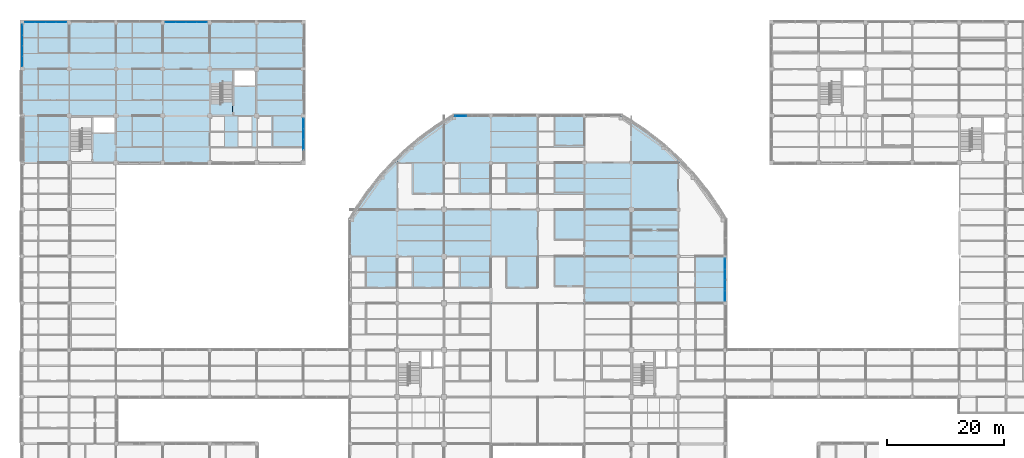
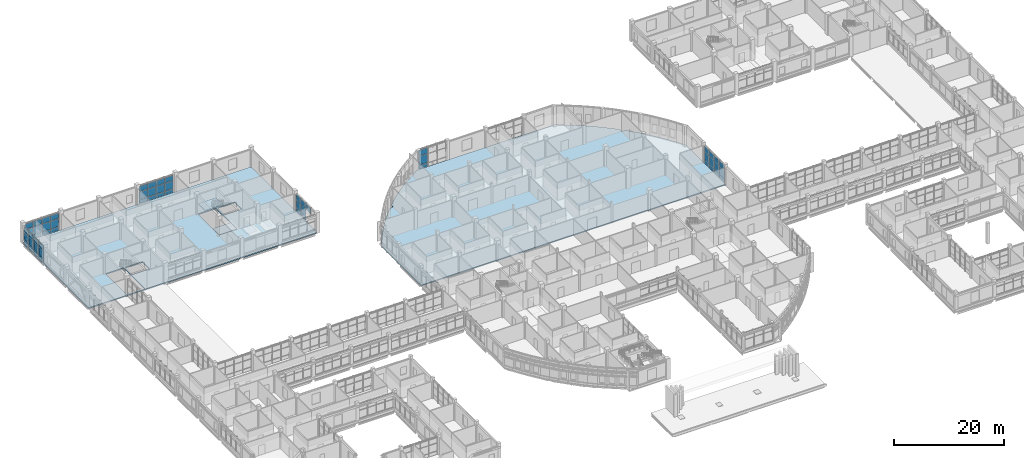
# One storey, part 67 of 121: 58 plates, 4 slabs, 7 elements without a shape of their own.
"""IFC4 building model written with IfcOpenShell, lengths in metres."""

from ifc_helpers import new_model, si_unit, derived_unit, direction, frame, origin, origin_2d, place, context, subcontext, project, spatial, polyline, rectangle, outline, extrude, material, layer, layer_set, type_object, element, aggregate, save


model = new_model("IFC4")

# Units and contexts
model_context = context("Model", 3, precision=1e-05, world=origin(), true_north=direction((0.0, 1.0)))
body_context = subcontext(model_context, "Body", "Model", "MODEL_VIEW")
ifc_project = project(units=[si_unit("LENGTHUNIT", "METRE"), si_unit("AREAUNIT", "SQUARE_METRE"), si_unit("VOLUMEUNIT", "CUBIC_METRE"), si_unit("PLANEANGLEUNIT", "RADIAN"), si_unit("MASSUNIT", "GRAM", prefix="KILO"), derived_unit("THERMALTRANSMITTANCEUNIT", [(si_unit("MASSUNIT", "GRAM", prefix="KILO"), 1), (si_unit("TIMEUNIT", "SECOND"), -3), (si_unit("THERMODYNAMICTEMPERATUREUNIT", "KELVIN"), -1)])], contexts=[model_context])

# Site, building, storey
site_placement = place(None, origin())
site = spatial("IfcSite", under=ifc_project, at=site_placement, CompositionType="ELEMENT")
building_placement = place(site_placement, origin())
building = spatial("IfcBuilding", under=site, at=building_placement, Name="Veyamyaing Civic Hall", CompositionType="ELEMENT")
storey_placement = place(building_placement, frame((0.0, 0.0, 5.280029296875)))
storey = spatial("IfcBuildingStorey", under=building, at=storey_placement, Name="L01", CompositionType="ELEMENT", Elevation=5.280029296875)

# Curtain wall, plates
ifc_material_1 = material(Name="Anodised aluminium 6063-T6", Category="aluminium")
ifc_layer_1 = layer(ifc_material_1, 0.159912109375, Name="Anodised aluminium 6063-T6")
ifc_layer_set_1 = layer_set([ifc_layer_1], Name="Anodised aluminium 6063-T6")
curtain_wall_type = type_object("IfcCurtainWallType", Name="CW-02", PredefinedType="NOTDEFINED", material=ifc_layer_set_1)
curtain_wall_1_placement = place(storey_placement, origin())
curtain_wall_1 = element("IfcCurtainWall", 1, at=curtain_wall_1_placement, inside=storey, type_object=curtain_wall_type, Name="Unitized curtain wall CW-02 L01 N 4.14", PredefinedType="NOTDEFINED")
ifc_material_2 = material(Name="Low-E insulated glass", Category="glass")
ifc_layer_2 = layer(ifc_material_2, 0.028076171875, Name="Low-E insulated glass")
ifc_layer_set_2 = layer_set([ifc_layer_2], Name="Low-E insulated glass")
plate_type_1 = type_object("IfcPlateType", Name="CWP-01", PredefinedType="CURTAIN_PANEL", material=ifc_layer_set_2)
plate_1_placement = place(storey_placement, frame((25.320068359375, 112.0, 0.06494140625), z_axis=(0.0, 0.0, 1.0), x_axis=(1.0, 0.0, 0.0)))
plate_1 = element("IfcPlate", 2, at=plate_1_placement, type_object=plate_type_1, Name="CW-02 panel 1.1", PredefinedType="CURTAIN_PANEL", context=body_context, shape_type="SweptSolid", body=[
    extrude(rectangle(XDim=1.699951171875, YDim=0.028076171875, at=origin_2d()), origin(), (0.0, 0.0, 1.0), 0.802490234375),
])
plate_2_placement = place(storey_placement, frame((25.320068359375, 112.0, 0.9326171875), z_axis=(0.0, 0.0, 1.0), x_axis=(1.0, 0.0, 0.0)))
plate_2 = element("IfcPlate", 3, at=plate_2_placement, type_object=plate_type_1, Name="CW-02 panel 1.2", PredefinedType="CURTAIN_PANEL", context=body_context, shape_type="SweptSolid", body=[
    extrude(rectangle(XDim=1.699951171875, YDim=0.028076171875, at=origin_2d()), origin(), (0.0, 0.0, 1.0), 1.72705078125),
])
plate_3_placement = place(storey_placement, frame((25.320068359375, 112.0, 2.724609375), z_axis=(0.0, 0.0, 1.0), x_axis=(1.0, 0.0, 0.0)))
plate_3 = element("IfcPlate", 4, at=plate_3_placement, type_object=plate_type_1, Name="CW-02 panel 1.3", PredefinedType="CURTAIN_PANEL", context=body_context, shape_type="SweptSolid", body=[
    extrude(rectangle(XDim=1.699951171875, YDim=0.028076171875, at=origin_2d()), origin(), (0.0, 0.0, 1.0), 1.16943359375),
])
plate_4_placement = place(storey_placement, frame((27.101318359375, 112.0, 0.06494140625), z_axis=(0.0, 0.0, 1.0), x_axis=(1.0, 0.0, 0.0)))
plate_4 = element("IfcPlate", 5, at=plate_4_placement, type_object=plate_type_1, Name="CW-02 panel 2.1", PredefinedType="CURTAIN_PANEL", context=body_context, shape_type="SweptSolid", body=[
    extrude(rectangle(XDim=1.732421875, YDim=0.028076171875, at=origin_2d()), origin(), (0.0, 0.0, 1.0), 0.802490234375),
])
plate_5_placement = place(storey_placement, frame((27.101318359375, 112.0, 0.9326171875), z_axis=(0.0, 0.0, 1.0), x_axis=(1.0, 0.0, 0.0)))
plate_5 = element("IfcPlate", 6, at=plate_5_placement, type_object=plate_type_1, Name="CW-02 panel 2.2", PredefinedType="CURTAIN_PANEL", context=body_context, shape_type="SweptSolid", body=[
    extrude(rectangle(XDim=1.732421875, YDim=0.028076171875, at=origin_2d()), origin(), (0.0, 0.0, 1.0), 1.72705078125),
])
plate_6_placement = place(storey_placement, frame((27.101318359375, 112.0, 2.724609375), z_axis=(0.0, 0.0, 1.0), x_axis=(1.0, 0.0, 0.0)))
plate_6 = element("IfcPlate", 7, at=plate_6_placement, type_object=plate_type_1, Name="CW-02 panel 2.3", PredefinedType="CURTAIN_PANEL", context=body_context, shape_type="SweptSolid", body=[
    extrude(rectangle(XDim=1.732421875, YDim=0.028076171875, at=origin_2d()), origin(), (0.0, 0.0, 1.0), 1.16943359375),
])
plate_7_placement = place(storey_placement, frame((28.898681640625, 112.0, 0.06494140625), z_axis=(0.0, 0.0, 1.0), x_axis=(1.0, 0.0, 0.0)))
plate_7 = element("IfcPlate", 8, at=plate_7_placement, type_object=plate_type_1, Name="CW-02 panel 3.1", PredefinedType="CURTAIN_PANEL", context=body_context, shape_type="SweptSolid", body=[
    extrude(rectangle(XDim=1.732421875, YDim=0.028076171875, at=origin_2d()), origin(), (0.0, 0.0, 1.0), 0.802490234375),
])
plate_8_placement = place(storey_placement, frame((28.898681640625, 112.0, 0.9326171875), z_axis=(0.0, 0.0, 1.0), x_axis=(1.0, 0.0, 0.0)))
plate_8 = element("IfcPlate", 9, at=plate_8_placement, type_object=plate_type_1, Name="CW-02 panel 3.2", PredefinedType="CURTAIN_PANEL", context=body_context, shape_type="SweptSolid", body=[
    extrude(rectangle(XDim=1.732421875, YDim=0.028076171875, at=origin_2d()), origin(), (0.0, 0.0, 1.0), 1.72705078125),
])
plate_9_placement = place(storey_placement, frame((28.898681640625, 112.0, 2.724609375), z_axis=(0.0, 0.0, 1.0), x_axis=(1.0, 0.0, 0.0)))
plate_9 = element("IfcPlate", 10, at=plate_9_placement, type_object=plate_type_1, Name="CW-02 panel 3.3", PredefinedType="CURTAIN_PANEL", context=body_context, shape_type="SweptSolid", body=[
    extrude(rectangle(XDim=1.732421875, YDim=0.028076171875, at=origin_2d()), origin(), (0.0, 0.0, 1.0), 1.16943359375),
])
plate_10_placement = place(storey_placement, frame((30.679931640625, 112.0, 0.06494140625), z_axis=(0.0, 0.0, 1.0), x_axis=(1.0, 0.0, 0.0)))
plate_10 = element("IfcPlate", 11, at=plate_10_placement, type_object=plate_type_1, Name="CW-02 panel 4.1", PredefinedType="CURTAIN_PANEL", context=body_context, shape_type="SweptSolid", body=[
    extrude(rectangle(XDim=1.699951171875, YDim=0.028076171875, at=origin_2d()), origin(), (0.0, 0.0, 1.0), 0.802490234375),
])
plate_11_placement = place(storey_placement, frame((30.679931640625, 112.0, 0.9326171875), z_axis=(0.0, 0.0, 1.0), x_axis=(1.0, 0.0, 0.0)))
plate_11 = element("IfcPlate", 12, at=plate_11_placement, type_object=plate_type_1, Name="CW-02 panel 4.2", PredefinedType="CURTAIN_PANEL", context=body_context, shape_type="SweptSolid", body=[
    extrude(rectangle(XDim=1.699951171875, YDim=0.028076171875, at=origin_2d()), origin(), (0.0, 0.0, 1.0), 1.72705078125),
])
plate_12_placement = place(storey_placement, frame((30.679931640625, 112.0, 2.724609375), z_axis=(0.0, 0.0, 1.0), x_axis=(1.0, 0.0, 0.0)))
plate_12 = element("IfcPlate", 13, at=plate_12_placement, type_object=plate_type_1, Name="CW-02 panel 4.3", PredefinedType="CURTAIN_PANEL", context=body_context, shape_type="SweptSolid", body=[
    extrude(rectangle(XDim=1.699951171875, YDim=0.028076171875, at=origin_2d()), origin(), (0.0, 0.0, 1.0), 1.16943359375),
])
aggregate(curtain_wall_1, [plate_1, plate_2, plate_3, plate_4, plate_5, plate_6, plate_7, plate_8, plate_9, plate_10, plate_11, plate_12])

curtain_wall_2_placement = place(storey_placement, origin())
curtain_wall_2 = element("IfcCurtainWall", 14, at=curtain_wall_2_placement, inside=storey, type_object=curtain_wall_type, Name="Unitized curtain wall CW-02 L01 E 6.12", PredefinedType="NOTDEFINED")
plate_13_placement = place(storey_placement, frame((48.0, 91.101318359375, 2.69384765625), z_axis=(0.0, 0.0, 1.0), x_axis=(0.0, 1.0, 0.0)))
plate_13 = element("IfcPlate", 15, at=plate_13_placement, type_object=plate_type_1, Name="CW-02 panel 2.3", PredefinedType="CURTAIN_PANEL", context=body_context, shape_type="SweptSolid", body=[
    extrude(rectangle(XDim=1.732421875, YDim=0.028076171875, at=origin_2d()), origin(), (0.0, 0.0, 1.0), 1.155029296875),
])
plate_14_placement = place(storey_placement, frame((48.0, 92.898681640625, 0.06494140625), z_axis=(0.0, 0.0, 1.0), x_axis=(0.0, 1.0, 0.0)))
plate_14 = element("IfcPlate", 16, at=plate_14_placement, type_object=plate_type_1, Name="CW-02 panel 3.1", PredefinedType="CURTAIN_PANEL", context=body_context, shape_type="SweptSolid", body=[
    extrude(rectangle(XDim=1.732421875, YDim=0.028076171875, at=origin_2d()), origin(), (0.0, 0.0, 1.0), 0.802490234375),
])
plate_15_placement = place(storey_placement, frame((48.0, 92.898681640625, 0.9326171875), z_axis=(0.0, 0.0, 1.0), x_axis=(0.0, 1.0, 0.0)))
plate_15 = element("IfcPlate", 17, at=plate_15_placement, type_object=plate_type_1, Name="CW-02 panel 3.2", PredefinedType="CURTAIN_PANEL", context=body_context, shape_type="SweptSolid", body=[
    extrude(rectangle(XDim=1.732421875, YDim=0.028076171875, at=origin_2d()), origin(), (0.0, 0.0, 1.0), 1.696533203125),
])
plate_16_placement = place(storey_placement, frame((48.0, 92.898681640625, 2.69384765625), z_axis=(0.0, 0.0, 1.0), x_axis=(0.0, 1.0, 0.0)))
plate_16 = element("IfcPlate", 18, at=plate_16_placement, type_object=plate_type_1, Name="CW-02 panel 3.3", PredefinedType="CURTAIN_PANEL", context=body_context, shape_type="SweptSolid", body=[
    extrude(rectangle(XDim=1.732421875, YDim=0.028076171875, at=origin_2d()), origin(), (0.0, 0.0, 1.0), 1.155029296875),
])
plate_17_placement = place(storey_placement, frame((48.0, 94.679931640625, 0.06494140625), z_axis=(0.0, 0.0, 1.0), x_axis=(0.0, 1.0, 0.0)))
plate_17 = element("IfcPlate", 19, at=plate_17_placement, type_object=plate_type_1, Name="CW-02 panel 4.1", PredefinedType="CURTAIN_PANEL", context=body_context, shape_type="SweptSolid", body=[
    extrude(rectangle(XDim=1.699951171875, YDim=0.028076171875, at=origin_2d()), origin(), (0.0, 0.0, 1.0), 0.802490234375),
])
plate_18_placement = place(storey_placement, frame((48.0, 94.679931640625, 0.9326171875), z_axis=(0.0, 0.0, 1.0), x_axis=(0.0, 1.0, 0.0)))
plate_18 = element("IfcPlate", 20, at=plate_18_placement, type_object=plate_type_1, Name="CW-02 panel 4.2", PredefinedType="CURTAIN_PANEL", context=body_context, shape_type="SweptSolid", body=[
    extrude(rectangle(XDim=1.699951171875, YDim=0.028076171875, at=origin_2d()), origin(), (0.0, 0.0, 1.0), 1.696533203125),
])
plate_19_placement = place(storey_placement, frame((48.0, 94.679931640625, 2.69384765625), z_axis=(0.0, 0.0, 1.0), x_axis=(0.0, 1.0, 0.0)))
plate_19 = element("IfcPlate", 21, at=plate_19_placement, type_object=plate_type_1, Name="CW-02 panel 4.3", PredefinedType="CURTAIN_PANEL", context=body_context, shape_type="SweptSolid", body=[
    extrude(rectangle(XDim=1.699951171875, YDim=0.028076171875, at=origin_2d()), origin(), (0.0, 0.0, 1.0), 1.155029296875),
])
aggregate(curtain_wall_2, [plate_13, plate_14, plate_15, plate_16, plate_17, plate_18, plate_19])

curtain_wall_3_placement = place(storey_placement, origin())
curtain_wall_3 = element("IfcCurtainWall", 22, at=curtain_wall_3_placement, inside=storey, type_object=curtain_wall_type, Name="Unitized curtain wall CW-02 L01 E 15.9", PredefinedType="NOTDEFINED")
plate_20_placement = place(storey_placement, frame((120.0, 65.263671875, 0.06494140625), z_axis=(0.0, 0.0, 1.0), x_axis=(0.0, 1.0, 0.0)))
plate_20 = element("IfcPlate", 23, at=plate_20_placement, type_object=plate_type_1, Name="CW-02 panel 1.1", PredefinedType="CURTAIN_PANEL", context=body_context, shape_type="SweptSolid", body=[
    extrude(rectangle(XDim=1.737548828125, YDim=0.028076171875, at=origin_2d()), origin(), (0.0, 0.0, 1.0), 0.802490234375),
])
plate_21_placement = place(storey_placement, frame((120.0, 65.263671875, 0.9326171875), z_axis=(0.0, 0.0, 1.0), x_axis=(0.0, 1.0, 0.0)))
plate_21 = element("IfcPlate", 24, at=plate_21_placement, type_object=plate_type_1, Name="CW-02 panel 1.2", PredefinedType="CURTAIN_PANEL", context=body_context, shape_type="SweptSolid", body=[
    extrude(rectangle(XDim=1.737548828125, YDim=0.028076171875, at=origin_2d()), origin(), (0.0, 0.0, 1.0), 1.724365234375),
])
plate_22_placement = place(storey_placement, frame((120.0, 65.263671875, 2.7216796875), z_axis=(0.0, 0.0, 1.0), x_axis=(0.0, 1.0, 0.0)))
plate_22 = element("IfcPlate", 25, at=plate_22_placement, type_object=plate_type_1, Name="CW-02 panel 1.3", PredefinedType="CURTAIN_PANEL", context=body_context, shape_type="SweptSolid", body=[
    extrude(rectangle(XDim=1.737548828125, YDim=0.028076171875, at=origin_2d()), origin(), (0.0, 0.0, 1.0), 1.168212890625),
])
plate_23_placement = place(storey_placement, frame((120.0, 67.08251953125, 0.06494140625), z_axis=(0.0, 0.0, 1.0), x_axis=(0.0, 1.0, 0.0)))
plate_23 = element("IfcPlate", 26, at=plate_23_placement, type_object=plate_type_1, Name="CW-02 panel 2.1", PredefinedType="CURTAIN_PANEL", context=body_context, shape_type="SweptSolid", body=[
    extrude(rectangle(XDim=1.77001953125, YDim=0.028076171875, at=origin_2d()), origin(), (0.0, 0.0, 1.0), 0.802490234375),
])
plate_24_placement = place(storey_placement, frame((120.0, 67.08251953125, 0.9326171875), z_axis=(0.0, 0.0, 1.0), x_axis=(0.0, 1.0, 0.0)))
plate_24 = element("IfcPlate", 27, at=plate_24_placement, type_object=plate_type_1, Name="CW-02 panel 2.2", PredefinedType="CURTAIN_PANEL", context=body_context, shape_type="SweptSolid", body=[
    extrude(rectangle(XDim=1.77001953125, YDim=0.028076171875, at=origin_2d()), origin(), (0.0, 0.0, 1.0), 1.724365234375),
])
plate_25_placement = place(storey_placement, frame((120.0, 67.08251953125, 2.7216796875), z_axis=(0.0, 0.0, 1.0), x_axis=(0.0, 1.0, 0.0)))
plate_25 = element("IfcPlate", 28, at=plate_25_placement, type_object=plate_type_1, Name="CW-02 panel 2.3", PredefinedType="CURTAIN_PANEL", context=body_context, shape_type="SweptSolid", body=[
    extrude(rectangle(XDim=1.77001953125, YDim=0.028076171875, at=origin_2d()), origin(), (0.0, 0.0, 1.0), 1.168212890625),
])
plate_26_placement = place(storey_placement, frame((120.0, 68.91748046875, 0.06494140625), z_axis=(0.0, 0.0, 1.0), x_axis=(0.0, 1.0, 0.0)))
plate_26 = element("IfcPlate", 29, at=plate_26_placement, type_object=plate_type_1, Name="CW-02 panel 3.1", PredefinedType="CURTAIN_PANEL", context=body_context, shape_type="SweptSolid", body=[
    extrude(rectangle(XDim=1.77001953125, YDim=0.028076171875, at=origin_2d()), origin(), (0.0, 0.0, 1.0), 0.802490234375),
])
plate_27_placement = place(storey_placement, frame((120.0, 68.91748046875, 0.9326171875), z_axis=(0.0, 0.0, 1.0), x_axis=(0.0, 1.0, 0.0)))
plate_27 = element("IfcPlate", 30, at=plate_27_placement, type_object=plate_type_1, Name="CW-02 panel 3.2", PredefinedType="CURTAIN_PANEL", context=body_context, shape_type="SweptSolid", body=[
    extrude(rectangle(XDim=1.77001953125, YDim=0.028076171875, at=origin_2d()), origin(), (0.0, 0.0, 1.0), 1.724365234375),
])
plate_28_placement = place(storey_placement, frame((120.0, 68.91748046875, 2.7216796875), z_axis=(0.0, 0.0, 1.0), x_axis=(0.0, 1.0, 0.0)))
plate_28 = element("IfcPlate", 31, at=plate_28_placement, type_object=plate_type_1, Name="CW-02 panel 3.3", PredefinedType="CURTAIN_PANEL", context=body_context, shape_type="SweptSolid", body=[
    extrude(rectangle(XDim=1.77001953125, YDim=0.028076171875, at=origin_2d()), origin(), (0.0, 0.0, 1.0), 1.168212890625),
])
plate_29_placement = place(storey_placement, frame((120.0, 70.736328125, 0.06494140625), z_axis=(0.0, 0.0, 1.0), x_axis=(0.0, 1.0, 0.0)))
plate_29 = element("IfcPlate", 32, at=plate_29_placement, type_object=plate_type_1, Name="CW-02 panel 4.1", PredefinedType="CURTAIN_PANEL", context=body_context, shape_type="SweptSolid", body=[
    extrude(rectangle(XDim=1.737548828125, YDim=0.028076171875, at=origin_2d()), origin(), (0.0, 0.0, 1.0), 0.802490234375),
])
plate_30_placement = place(storey_placement, frame((120.0, 70.736328125, 0.9326171875), z_axis=(0.0, 0.0, 1.0), x_axis=(0.0, 1.0, 0.0)))
plate_30 = element("IfcPlate", 33, at=plate_30_placement, type_object=plate_type_1, Name="CW-02 panel 4.2", PredefinedType="CURTAIN_PANEL", context=body_context, shape_type="SweptSolid", body=[
    extrude(rectangle(XDim=1.737548828125, YDim=0.028076171875, at=origin_2d()), origin(), (0.0, 0.0, 1.0), 1.724365234375),
])
plate_31_placement = place(storey_placement, frame((120.0, 70.736328125, 2.7216796875), z_axis=(0.0, 0.0, 1.0), x_axis=(0.0, 1.0, 0.0)))
plate_31 = element("IfcPlate", 34, at=plate_31_placement, type_object=plate_type_1, Name="CW-02 panel 4.3", PredefinedType="CURTAIN_PANEL", context=body_context, shape_type="SweptSolid", body=[
    extrude(rectangle(XDim=1.737548828125, YDim=0.028076171875, at=origin_2d()), origin(), (0.0, 0.0, 1.0), 1.168212890625),
])
aggregate(curtain_wall_3, [plate_20, plate_21, plate_22, plate_23, plate_24, plate_25, plate_26, plate_27, plate_28, plate_29, plate_30, plate_31])

curtain_wall_4_placement = place(storey_placement, origin())
curtain_wall_4 = element("IfcCurtainWall", 35, at=curtain_wall_4_placement, inside=storey, type_object=curtain_wall_type, Name="Unitized curtain wall CW-02 L01 N 1.14", PredefinedType="NOTDEFINED")
ifc_layer_3 = layer(ifc_material_2, 0.02392578125, Name="Low-E insulated glass")
ifc_layer_set_3 = layer_set([ifc_layer_3], Name="Low-E insulated glass")
plate_type_2 = type_object("IfcPlateType", Name="CWP-04", PredefinedType="CURTAIN_PANEL", material=ifc_layer_set_3)
plate_32_placement = place(storey_placement, frame((1.320068359375, 112.0, 0.06494140625), z_axis=(0.0, 0.0, 1.0), x_axis=(1.0, 0.0, 0.0)))
plate_32 = element("IfcPlate", 36, at=plate_32_placement, type_object=plate_type_2, Name="CW-02 panel 1.1", PredefinedType="CURTAIN_PANEL", context=body_context, shape_type="SweptSolid", body=[
    extrude(rectangle(XDim=1.699951171875, YDim=0.02392578125, at=origin_2d()), origin(), (0.0, 0.0, 1.0), 0.802490234375),
])
plate_33_placement = place(storey_placement, frame((1.320068359375, 112.0, 0.9326171875), z_axis=(0.0, 0.0, 1.0), x_axis=(1.0, 0.0, 0.0)))
plate_33 = element("IfcPlate", 37, at=plate_33_placement, type_object=plate_type_2, Name="CW-02 panel 1.2", PredefinedType="CURTAIN_PANEL", context=body_context, shape_type="SweptSolid", body=[
    extrude(rectangle(XDim=1.699951171875, YDim=0.02392578125, at=origin_2d()), origin(), (0.0, 0.0, 1.0), 1.739501953125),
])
plate_34_placement = place(storey_placement, frame((1.320068359375, 112.0, 2.73681640625), z_axis=(0.0, 0.0, 1.0), x_axis=(1.0, 0.0, 0.0)))
plate_34 = element("IfcPlate", 38, at=plate_34_placement, type_object=plate_type_2, Name="CW-02 panel 1.3", PredefinedType="CURTAIN_PANEL", context=body_context, shape_type="SweptSolid", body=[
    extrude(rectangle(XDim=1.699951171875, YDim=0.02392578125, at=origin_2d()), origin(), (0.0, 0.0, 1.0), 1.175048828125),
])
plate_35_placement = place(storey_placement, frame((3.101318359375, 112.0, 0.06494140625), z_axis=(0.0, 0.0, 1.0), x_axis=(1.0, 0.0, 0.0)))
plate_35 = element("IfcPlate", 39, at=plate_35_placement, type_object=plate_type_2, Name="CW-02 panel 2.1", PredefinedType="CURTAIN_PANEL", context=body_context, shape_type="SweptSolid", body=[
    extrude(rectangle(XDim=1.732421875, YDim=0.02392578125, at=origin_2d()), origin(), (0.0, 0.0, 1.0), 0.802490234375),
])
plate_36_placement = place(storey_placement, frame((3.101318359375, 112.0, 0.9326171875), z_axis=(0.0, 0.0, 1.0), x_axis=(1.0, 0.0, 0.0)))
plate_36 = element("IfcPlate", 40, at=plate_36_placement, type_object=plate_type_2, Name="CW-02 panel 2.2", PredefinedType="CURTAIN_PANEL", context=body_context, shape_type="SweptSolid", body=[
    extrude(rectangle(XDim=1.732421875, YDim=0.02392578125, at=origin_2d()), origin(), (0.0, 0.0, 1.0), 1.739501953125),
])
plate_37_placement = place(storey_placement, frame((3.101318359375, 112.0, 2.73681640625), z_axis=(0.0, 0.0, 1.0), x_axis=(1.0, 0.0, 0.0)))
plate_37 = element("IfcPlate", 41, at=plate_37_placement, type_object=plate_type_2, Name="CW-02 panel 2.3", PredefinedType="CURTAIN_PANEL", context=body_context, shape_type="SweptSolid", body=[
    extrude(rectangle(XDim=1.732421875, YDim=0.02392578125, at=origin_2d()), origin(), (0.0, 0.0, 1.0), 1.175048828125),
])
plate_38_placement = place(storey_placement, frame((4.898681640625, 112.0, 0.06494140625), z_axis=(0.0, 0.0, 1.0), x_axis=(1.0, 0.0, 0.0)))
plate_38 = element("IfcPlate", 42, at=plate_38_placement, type_object=plate_type_2, Name="CW-02 panel 3.1", PredefinedType="CURTAIN_PANEL", context=body_context, shape_type="SweptSolid", body=[
    extrude(rectangle(XDim=1.732421875, YDim=0.02392578125, at=origin_2d()), origin(), (0.0, 0.0, 1.0), 0.802490234375),
])
plate_39_placement = place(storey_placement, frame((4.898681640625, 112.0, 0.9326171875), z_axis=(0.0, 0.0, 1.0), x_axis=(1.0, 0.0, 0.0)))
plate_39 = element("IfcPlate", 43, at=plate_39_placement, type_object=plate_type_2, Name="CW-02 panel 3.2", PredefinedType="CURTAIN_PANEL", context=body_context, shape_type="SweptSolid", body=[
    extrude(rectangle(XDim=1.732421875, YDim=0.02392578125, at=origin_2d()), origin(), (0.0, 0.0, 1.0), 1.739501953125),
])
plate_40_placement = place(storey_placement, frame((4.898681640625, 112.0, 2.73681640625), z_axis=(0.0, 0.0, 1.0), x_axis=(1.0, 0.0, 0.0)))
plate_40 = element("IfcPlate", 44, at=plate_40_placement, type_object=plate_type_2, Name="CW-02 panel 3.3", PredefinedType="CURTAIN_PANEL", context=body_context, shape_type="SweptSolid", body=[
    extrude(rectangle(XDim=1.732421875, YDim=0.02392578125, at=origin_2d()), origin(), (0.0, 0.0, 1.0), 1.175048828125),
])
plate_41_placement = place(storey_placement, frame((6.679931640625, 112.0, 0.06494140625), z_axis=(0.0, 0.0, 1.0), x_axis=(1.0, 0.0, 0.0)))
plate_41 = element("IfcPlate", 45, at=plate_41_placement, type_object=plate_type_2, Name="CW-02 panel 4.1", PredefinedType="CURTAIN_PANEL", context=body_context, shape_type="SweptSolid", body=[
    extrude(rectangle(XDim=1.699951171875, YDim=0.02392578125, at=origin_2d()), origin(), (0.0, 0.0, 1.0), 0.802490234375),
])
plate_42_placement = place(storey_placement, frame((6.679931640625, 112.0, 0.9326171875), z_axis=(0.0, 0.0, 1.0), x_axis=(1.0, 0.0, 0.0)))
plate_42 = element("IfcPlate", 46, at=plate_42_placement, type_object=plate_type_2, Name="CW-02 panel 4.2", PredefinedType="CURTAIN_PANEL", context=body_context, shape_type="SweptSolid", body=[
    extrude(rectangle(XDim=1.699951171875, YDim=0.02392578125, at=origin_2d()), origin(), (0.0, 0.0, 1.0), 1.739501953125),
])
plate_43_placement = place(storey_placement, frame((6.679931640625, 112.0, 2.73681640625), z_axis=(0.0, 0.0, 1.0), x_axis=(1.0, 0.0, 0.0)))
plate_43 = element("IfcPlate", 47, at=plate_43_placement, type_object=plate_type_2, Name="CW-02 panel 4.3", PredefinedType="CURTAIN_PANEL", context=body_context, shape_type="SweptSolid", body=[
    extrude(rectangle(XDim=1.699951171875, YDim=0.02392578125, at=origin_2d()), origin(), (0.0, 0.0, 1.0), 1.175048828125),
])
aggregate(curtain_wall_4, [plate_32, plate_33, plate_34, plate_35, plate_36, plate_37, plate_38, plate_39, plate_40, plate_41, plate_42, plate_43])

curtain_wall_5_placement = place(storey_placement, origin())
curtain_wall_5 = element("IfcCurtainWall", 48, at=curtain_wall_5_placement, inside=storey, type_object=curtain_wall_type, Name="Unitized curtain wall CW-02 L01 W 1.14", PredefinedType="NOTDEFINED")
plate_44_placement = place(storey_placement, frame((0.0, 105.320068359375, 0.06494140625), z_axis=(0.0, 0.0, 1.0), x_axis=(0.0, 1.0, 0.0)))
plate_44 = element("IfcPlate", 49, at=plate_44_placement, type_object=plate_type_2, Name="CW-02 panel 1.1", PredefinedType="CURTAIN_PANEL", context=body_context, shape_type="SweptSolid", body=[
    extrude(rectangle(XDim=1.699951171875, YDim=0.02392578125, at=origin_2d()), origin(), (0.0, 0.0, 1.0), 0.802490234375),
])
plate_45_placement = place(storey_placement, frame((0.0, 105.320068359375, 0.9326171875), z_axis=(0.0, 0.0, 1.0), x_axis=(0.0, 1.0, 0.0)))
plate_45 = element("IfcPlate", 50, at=plate_45_placement, type_object=plate_type_2, Name="CW-02 panel 1.2", PredefinedType="CURTAIN_PANEL", context=body_context, shape_type="SweptSolid", body=[
    extrude(rectangle(XDim=1.699951171875, YDim=0.02392578125, at=origin_2d()), origin(), (0.0, 0.0, 1.0), 1.696533203125),
])
plate_46_placement = place(storey_placement, frame((0.0, 105.320068359375, 2.69384765625), z_axis=(0.0, 0.0, 1.0), x_axis=(0.0, 1.0, 0.0)))
plate_46 = element("IfcPlate", 51, at=plate_46_placement, type_object=plate_type_2, Name="CW-02 panel 1.3", PredefinedType="CURTAIN_PANEL", context=body_context, shape_type="SweptSolid", body=[
    extrude(rectangle(XDim=1.699951171875, YDim=0.02392578125, at=origin_2d()), origin(), (0.0, 0.0, 1.0), 1.155029296875),
])
plate_47_placement = place(storey_placement, frame((0.0, 107.101318359375, 0.06494140625), z_axis=(0.0, 0.0, 1.0), x_axis=(0.0, 1.0, 0.0)))
plate_47 = element("IfcPlate", 52, at=plate_47_placement, type_object=plate_type_2, Name="CW-02 panel 2.1", PredefinedType="CURTAIN_PANEL", context=body_context, shape_type="SweptSolid", body=[
    extrude(rectangle(XDim=1.732421875, YDim=0.02392578125, at=origin_2d()), origin(), (0.0, 0.0, 1.0), 0.802490234375),
])
plate_48_placement = place(storey_placement, frame((0.0, 107.101318359375, 0.9326171875), z_axis=(0.0, 0.0, 1.0), x_axis=(0.0, 1.0, 0.0)))
plate_48 = element("IfcPlate", 53, at=plate_48_placement, type_object=plate_type_2, Name="CW-02 panel 2.2", PredefinedType="CURTAIN_PANEL", context=body_context, shape_type="SweptSolid", body=[
    extrude(rectangle(XDim=1.732421875, YDim=0.02392578125, at=origin_2d()), origin(), (0.0, 0.0, 1.0), 1.696533203125),
])
plate_49_placement = place(storey_placement, frame((0.0, 107.101318359375, 2.69384765625), z_axis=(0.0, 0.0, 1.0), x_axis=(0.0, 1.0, 0.0)))
plate_49 = element("IfcPlate", 54, at=plate_49_placement, type_object=plate_type_2, Name="CW-02 panel 2.3", PredefinedType="CURTAIN_PANEL", context=body_context, shape_type="SweptSolid", body=[
    extrude(rectangle(XDim=1.732421875, YDim=0.02392578125, at=origin_2d()), origin(), (0.0, 0.0, 1.0), 1.155029296875),
])
plate_50_placement = place(storey_placement, frame((0.0, 108.898681640625, 0.06494140625), z_axis=(0.0, 0.0, 1.0), x_axis=(0.0, 1.0, 0.0)))
plate_50 = element("IfcPlate", 55, at=plate_50_placement, type_object=plate_type_2, Name="CW-02 panel 3.1", PredefinedType="CURTAIN_PANEL", context=body_context, shape_type="SweptSolid", body=[
    extrude(rectangle(XDim=1.732421875, YDim=0.02392578125, at=origin_2d()), origin(), (0.0, 0.0, 1.0), 0.802490234375),
])
plate_51_placement = place(storey_placement, frame((0.0, 108.898681640625, 0.9326171875), z_axis=(0.0, 0.0, 1.0), x_axis=(0.0, 1.0, 0.0)))
plate_51 = element("IfcPlate", 56, at=plate_51_placement, type_object=plate_type_2, Name="CW-02 panel 3.2", PredefinedType="CURTAIN_PANEL", context=body_context, shape_type="SweptSolid", body=[
    extrude(rectangle(XDim=1.732421875, YDim=0.02392578125, at=origin_2d()), origin(), (0.0, 0.0, 1.0), 1.696533203125),
])
plate_52_placement = place(storey_placement, frame((0.0, 108.898681640625, 2.69384765625), z_axis=(0.0, 0.0, 1.0), x_axis=(0.0, 1.0, 0.0)))
plate_52 = element("IfcPlate", 57, at=plate_52_placement, type_object=plate_type_2, Name="CW-02 panel 3.3", PredefinedType="CURTAIN_PANEL", context=body_context, shape_type="SweptSolid", body=[
    extrude(rectangle(XDim=1.732421875, YDim=0.02392578125, at=origin_2d()), origin(), (0.0, 0.0, 1.0), 1.155029296875),
])
plate_53_placement = place(storey_placement, frame((0.0, 110.679931640625, 0.06494140625), z_axis=(0.0, 0.0, 1.0), x_axis=(0.0, 1.0, 0.0)))
plate_53 = element("IfcPlate", 58, at=plate_53_placement, type_object=plate_type_2, Name="CW-02 panel 4.1", PredefinedType="CURTAIN_PANEL", context=body_context, shape_type="SweptSolid", body=[
    extrude(rectangle(XDim=1.699951171875, YDim=0.02392578125, at=origin_2d()), origin(), (0.0, 0.0, 1.0), 0.802490234375),
])
plate_54_placement = place(storey_placement, frame((0.0, 110.679931640625, 0.9326171875), z_axis=(0.0, 0.0, 1.0), x_axis=(0.0, 1.0, 0.0)))
plate_54 = element("IfcPlate", 59, at=plate_54_placement, type_object=plate_type_2, Name="CW-02 panel 4.2", PredefinedType="CURTAIN_PANEL", context=body_context, shape_type="SweptSolid", body=[
    extrude(rectangle(XDim=1.699951171875, YDim=0.02392578125, at=origin_2d()), origin(), (0.0, 0.0, 1.0), 1.696533203125),
])
plate_55_placement = place(storey_placement, frame((0.0, 110.679931640625, 2.69384765625), z_axis=(0.0, 0.0, 1.0), x_axis=(0.0, 1.0, 0.0)))
plate_55 = element("IfcPlate", 60, at=plate_55_placement, type_object=plate_type_2, Name="CW-02 panel 4.3", PredefinedType="CURTAIN_PANEL", context=body_context, shape_type="SweptSolid", body=[
    extrude(rectangle(XDim=1.699951171875, YDim=0.02392578125, at=origin_2d()), origin(), (0.0, 0.0, 1.0), 1.155029296875),
])
aggregate(curtain_wall_5, [plate_44, plate_45, plate_46, plate_47, plate_48, plate_49, plate_50, plate_51, plate_52, plate_53, plate_54, plate_55])

curtain_wall_6_placement = place(storey_placement, origin())
curtain_wall_6 = element("IfcCurtainWall", 61, at=curtain_wall_6_placement, inside=storey, type_object=curtain_wall_type, Name="Unitized curtain wall CW-02 L01 N 10.12", PredefinedType="NOTDEFINED")
ifc_layer_4 = layer(ifc_material_2, 0.0400390625, Name="Low-E insulated glass")
ifc_layer_set_4 = layer_set([ifc_layer_4], Name="Low-E insulated glass")
plate_type_3 = type_object("IfcPlateType", Name="CWP-05", PredefinedType="CURTAIN_PANEL", material=ifc_layer_set_4)
plate_56_placement = place(storey_placement, frame((74.877197265625, 96.0, 0.06494140625), z_axis=(0.0, 0.0, 1.0), x_axis=(1.0, 0.0, 0.0)))
plate_56 = element("IfcPlate", 62, at=plate_56_placement, type_object=plate_type_3, Name="CW-02 panel 1.1", PredefinedType="CURTAIN_PANEL", context=body_context, shape_type="SweptSolid", body=[
    extrude(rectangle(XDim=1.826171875, YDim=0.0400390625, at=origin_2d()), origin(), (0.0, 0.0, 1.0), 0.802490234375),
])
plate_57_placement = place(storey_placement, frame((74.877197265625, 96.0, 0.932373046875), z_axis=(0.0, 0.0, 1.0), x_axis=(1.0, 0.0, 0.0)))
plate_57 = element("IfcPlate", 63, at=plate_57_placement, type_object=plate_type_3, Name="CW-02 panel 1.2", PredefinedType="CURTAIN_PANEL", context=body_context, shape_type="SweptSolid", body=[
    extrude(rectangle(XDim=1.826171875, YDim=0.0400390625, at=origin_2d()), origin(), (0.0, 0.0, 1.0), 1.98291015625),
])
plate_58_placement = place(storey_placement, frame((74.877197265625, 96.0, 2.97998046875), z_axis=(0.0, 0.0, 1.0), x_axis=(1.0, 0.0, 0.0)))
plate_58 = element("IfcPlate", 64, at=plate_58_placement, type_object=plate_type_3, Name="CW-02 panel 1.3", PredefinedType="CURTAIN_PANEL", context=body_context, shape_type="SweptSolid", body=[
    extrude(rectangle(XDim=1.826171875, YDim=0.0400390625, at=origin_2d()), origin(), (0.0, 0.0, 1.0), 1.289794921875),
])
aggregate(curtain_wall_6, [plate_56, plate_57, plate_58])

# Slabs
ifc_material_3 = material(Name="Concrete C40/50", Category="concrete")
ifc_layer_5 = layer(ifc_material_3, 0.2451171875, Name="Concrete C40/50")
ifc_layer_set_5 = layer_set([ifc_layer_5], Name="Concrete C40/50")
slab_type_1 = type_object("IfcSlabType", Name="SL-03", PredefinedType="FLOOR", material=ifc_layer_set_5)
slab_1_placement = place(storey_placement, frame((0.0, 0.0, -0.2451171875)))
element("IfcSlab", 65, at=slab_1_placement, inside=storey, type_object=slab_type_1, Name="Floor slab SL-03 L01 V1N.1", PredefinedType="FLOOR", context=body_context, shape_type="SweptSolid", body=[
    extrude(outline(polyline([(64.0, 88.730224609375), (64.9208984375, 89.6171875), (66.259521484375, 90.8134765625), (67.6416015625, 91.958740234375), (69.06591796875, 93.051513671875), (70.52978515625, 94.090087890625), (72.03173828125, 95.073486328125), (73.569091796875, 96.0), (102.430908203125, 96.0), (103.96826171875, 95.073486328125), (105.47021484375, 94.090087890625), (106.93408203125, 93.051513671875), (108.3583984375, 91.958740234375), (109.740478515625, 90.8134765625), (111.0791015625, 89.6171875), (112.0, 88.730224609375), (112.0, 88.0), (112.730224609375, 88.0), (113.6171875, 87.0791015625), (114.8134765625, 85.740478515625), (115.958740234375, 84.3583984375), (117.051513671875, 82.93408203125), (118.090087890625, 81.47021484375), (119.073486328125, 79.96826171875), (120.0, 78.430908203125), (120.0, 64.0), (56.0, 64.0), (56.0, 78.430908203125), (56.926513671875, 79.96826171875), (57.909912109375, 81.47021484375), (58.948486328125, 82.93408203125), (60.041259765625, 84.3583984375), (61.1865234375, 85.740478515625), (62.3828125, 87.0791015625), (63.269775390625, 88.0), (64.0, 88.0), (64.0, 88.730224609375)])), origin(), (0.0, 0.0, 1.0), 0.2451171875),
])
slab_2_placement = place(storey_placement, frame((0.0, 0.0, -0.2451171875)))
element("IfcSlab", 66, at=slab_2_placement, inside=storey, type_object=slab_type_1, Name="Floor slab SL-03 L01 V4NW.1", PredefinedType="FLOOR", context=body_context, shape_type="SweptSolid", body=[
    extrude(outline(polyline([(0.0, 112.0), (48.0, 112.0), (48.0, 88.0), (0.0, 88.0), (0.0, 112.0)]), holes=[polyline([(11.909912109375, 95.860107421875), (8.139892578125, 95.860107421875), (8.139892578125, 88.139892578125), (11.909912109375, 88.139892578125), (11.909912109375, 95.860107421875)]), polyline([(15.820068359375, 95.820068359375), (12.179931640625, 95.820068359375), (12.179931640625, 93.179931640625), (15.820068359375, 93.179931640625), (15.820068359375, 95.820068359375)]), polyline([(35.909912109375, 103.860107421875), (32.139892578125, 103.860107421875), (32.139892578125, 96.139892578125), (35.909912109375, 96.139892578125), (35.909912109375, 103.860107421875)]), polyline([(39.820068359375, 103.820068359375), (36.179931640625, 103.820068359375), (36.179931640625, 101.179931640625), (39.820068359375, 101.179931640625), (39.820068359375, 103.820068359375)])]), origin(), (0.0, 0.0, 1.0), 0.2451171875),
])
ifc_layer_6 = layer(ifc_material_3, 0.199951171875, Name="Concrete C40/50")
ifc_layer_set_6 = layer_set([ifc_layer_6], Name="Concrete C40/50")
slab_type_2 = type_object("IfcSlabType", Name="SL-16", PredefinedType="FLOOR", material=ifc_layer_set_6)
slab_3_placement = place(storey_placement, frame((0.0, 0.0, -0.199951171875)))
element("IfcSlab", 67, at=slab_3_placement, inside=storey, type_object=slab_type_2, Name="Stair floor landing slab SL-16 ST-02 L01", PredefinedType="FLOOR", context=body_context, shape_type="SweptSolid", body=[
    extrude(outline(polyline([(32.139892578125, 96.139892578125), (35.909912109375, 96.139892578125), (35.909912109375, 98.52001953125), (32.139892578125, 98.52001953125), (32.139892578125, 96.139892578125)])), origin(), (0.0, 0.0, 1.0), 0.199951171875),
])

# Stair, slab
stair_type = type_object("IfcStairType", Name="ST-C", PredefinedType="HALF_TURN_STAIR", material=ifc_material_3)
stair_placement = place(storey_placement, origin())
stair = element("IfcStair", 68, at=stair_placement, inside=storey, type_object=stair_type, Name="Protected exit stair ST-02 L01", PredefinedType="HALF_TURN_STAIR")
ifc_layer_7 = layer(ifc_material_3, 0.195068359375, Name="Concrete C40/50")
ifc_layer_set_7 = layer_set([ifc_layer_7], Name="Concrete C40/50")
slab_type_3 = type_object("IfcSlabType", Name="SL-LND", PredefinedType="LANDING", material=ifc_layer_set_7)
slab_4_placement = place(storey_placement, frame((0.0, 0.0, 2.114990234375)))
slab_4 = element("IfcSlab", 69, at=slab_4_placement, type_object=slab_type_3, Name="ST-02 landing 1", PredefinedType="LANDING", context=body_context, shape_type="SweptSolid", body=[
    extrude(outline(polyline([(32.139892578125, 101.35009765625), (35.909912109375, 101.35009765625), (35.909912109375, 103.860107421875), (32.139892578125, 103.860107421875), (32.139892578125, 101.35009765625)])), origin(), (0.0, 0.0, 1.0), 0.195068359375),
])
aggregate(stair, [slab_4])

save(model, "model.ifc")
